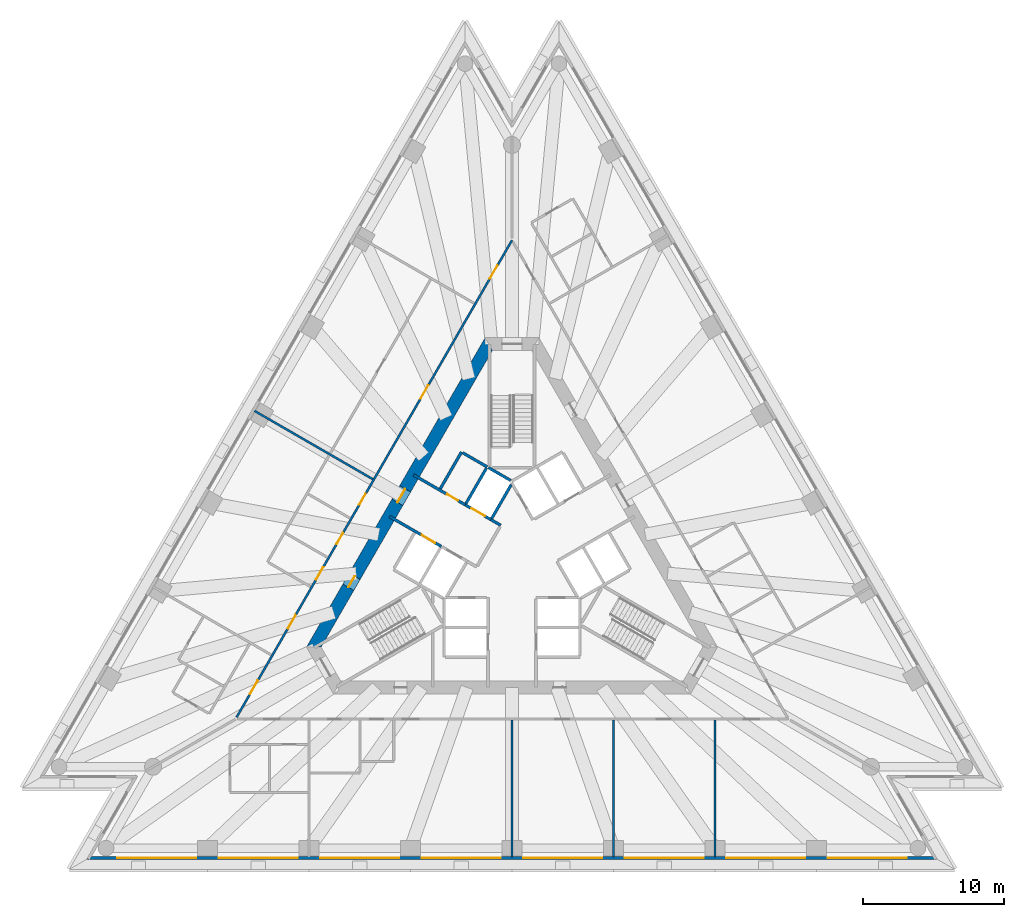
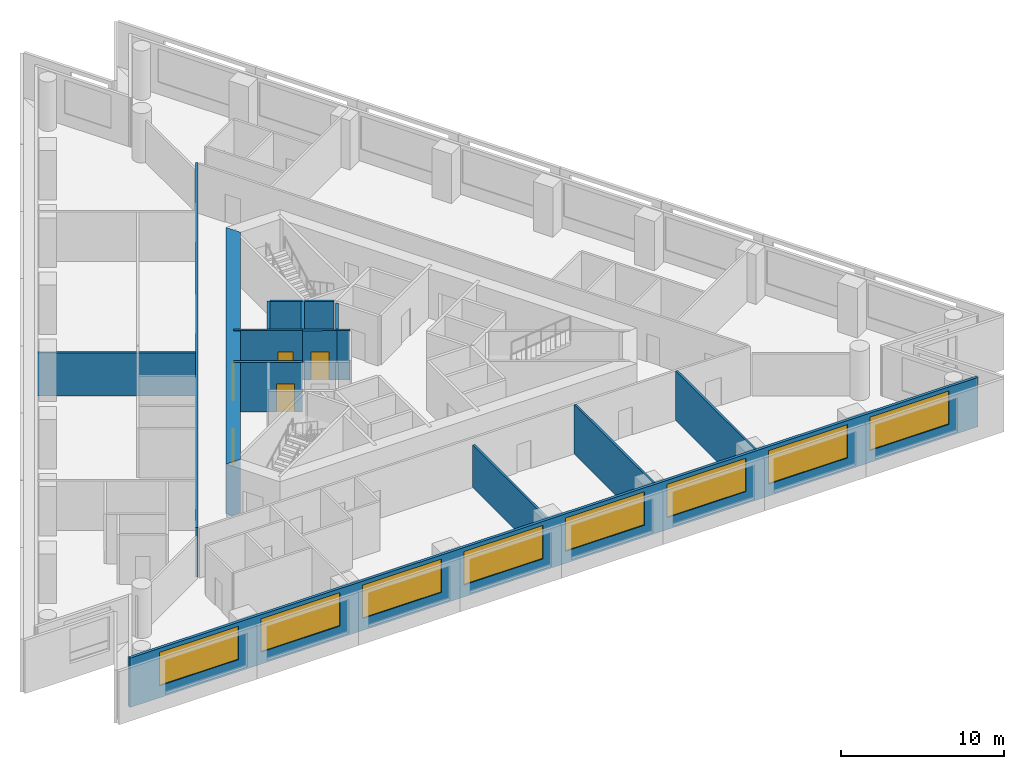
# One storey, part 4 of 11: 16 walls, 12 doors, 8 windows, 20 openings.
"""IFC4 building model written with IfcOpenShell, lengths in metres."""

import ifcopenshell
import ifcopenshell.guid

model = None  # the IFC model being written
_history = None  # IfcOwnerHistory: only IFC2X3 demands one
_inside = {}  # id of a spatial element -> (the spatial element, [elements in it])
_under = {}  # id of a project, library or spatial element -> (it, [spatial elements below it])
_declared = {}  # id of a project -> (the project, [libraries it declares])
_typed = {}  # id of a type object -> (the type object, [elements of that type])
_made_of = {}  # id of a material, layer set ... -> (it, [elements and type objects made of it])


def new_model(schema):
    """Start an empty IFC model of exactly this schema.

    Asked for "IFC4X3", IfcOpenShell would pick the latest addendum, in which some entities
    have other attributes; the version numbers below select the first issue.
    IFC2X3 requires an IfcOwnerHistory on every rooted entity: one is made here for all.
    """
    global model, _history
    if schema == "IFC4X3":
        model = ifcopenshell.file(schema_version=(4, 3, 0, 0))
    else:
        model = ifcopenshell.file(schema=schema)
    _inside.clear()
    _under.clear()
    _declared.clear()
    _typed.clear()
    _made_of.clear()
    _history = None
    if model.schema == "IFC2X3":
        org = make("IfcOrganization", Name="unknown")
        user = make(
            "IfcPersonAndOrganization",
            ThePerson=make("IfcPerson", FamilyName="unknown"),
            TheOrganization=org,
        )
        app = make(
            "IfcApplication",
            ApplicationDeveloper=org,
            Version="unknown",
            ApplicationFullName="unknown",
            ApplicationIdentifier="unknown",
        )
        _history = make(
            "IfcOwnerHistory",
            OwningUser=user,
            OwningApplication=app,
            ChangeAction="ADDED",
            CreationDate=0,
        )
    return model


def make(cls, **values):
    """One entity of the class cls with the attributes given. An attribute that is None is left unset."""
    return model.create_entity(
        cls, **{name: value for name, value in values.items() if value is not None}
    )


def rooted(cls, **values):
    """An entity with a GlobalId (a new one), such as an element, a storey or a relation."""
    return make(cls, GlobalId=ifcopenshell.guid.new(), OwnerHistory=_history, **values)


def si_unit(unit_type, name, prefix=None):
    """IfcSIUnit, for example si_unit("LENGTHUNIT", "METRE", prefix="MILLI")."""
    return make("IfcSIUnit", UnitType=unit_type, Prefix=prefix, Name=name)


def assignment(units):
    """IfcUnitAssignment: the units of a project."""
    return None if units is None else make("IfcUnitAssignment", Units=units)


def point(xyz):
    """IfcCartesianPoint."""
    return None if xyz is None else make("IfcCartesianPoint", Coordinates=xyz)


def direction(xyz):
    """IfcDirection."""
    return None if xyz is None else make("IfcDirection", DirectionRatios=xyz)


def frame(location, z_axis=None, x_axis=None):
    """IfcAxis2Placement3D, a coordinate frame: its origin and axes. An axis left out is left unset."""
    return make(
        "IfcAxis2Placement3D",
        Location=point(location),
        Axis=direction(z_axis),
        RefDirection=direction(x_axis),
    )


def frame_2d(location, x_axis=None):
    """IfcAxis2Placement2D, a coordinate frame in the plane: its origin and x axis."""
    return make(
        "IfcAxis2Placement2D", Location=point(location), RefDirection=direction(x_axis)
    )


def origin():
    """The frame at (0, 0, 0) with its axes left unset."""
    return frame((0.0, 0.0, 0.0))


def place(relative_to, where):
    """IfcLocalPlacement: puts the frame where relative to a parent placement (None: the world)."""
    return make(
        "IfcLocalPlacement", PlacementRelTo=relative_to, RelativePlacement=where
    )


def context(
    kind, dimensions, precision=None, world=None, true_north=None, identifier=None
):
    """IfcGeometricRepresentationContext, for example the 3D "Model" context."""
    return make(
        "IfcGeometricRepresentationContext",
        ContextIdentifier=identifier,
        ContextType=kind,
        CoordinateSpaceDimension=dimensions,
        Precision=precision,
        WorldCoordinateSystem=world,
        TrueNorth=true_north,
    )


def subcontext(parent, identifier, kind, view, scale=None):
    """IfcGeometricRepresentationSubContext, for example "Body" below "Model"."""
    return make(
        "IfcGeometricRepresentationSubContext",
        ContextIdentifier=identifier,
        ContextType=kind,
        ParentContext=parent,
        TargetScale=scale,
        TargetView=view,
    )


def project(units=None, contexts=None):
    """IfcProject with its units and contexts."""
    return rooted(
        "IfcProject",
        Name="project",
        RepresentationContexts=contexts,
        UnitsInContext=assignment(units),
    )


def spatial(cls, under=None, at=None, **own):
    """A site, building, storey or space (cls), placed at a placement, below another one or the project."""
    s = rooted(cls, ObjectPlacement=at, **own)
    if under is not None:
        _under.setdefault(under.id(), (under, []))[1].append(s)
    return s


def polyline(points):
    """IfcPolyline through the points."""
    return make("IfcPolyline", Points=[point(p) for p in points])


def profile(cls, at=None, kind="AREA", **sizes):
    """A parametric profile (cls). Its sizes go by their IFC names, for example OverallWidth=200.0."""
    return make(cls, ProfileType=kind, Position=at, **sizes)


def rectangle(**sizes):
    """IfcRectangleProfileDef."""
    return profile("IfcRectangleProfileDef", **sizes)


def outline(outer, holes=None, kind="AREA"):
    """IfcArbitraryClosedProfileDef: a profile drawn as a closed curve; with holes, ...WithVoids."""
    if holes is None:
        return make("IfcArbitraryClosedProfileDef", ProfileType=kind, OuterCurve=outer)
    return make(
        "IfcArbitraryProfileDefWithVoids",
        ProfileType=kind,
        OuterCurve=outer,
        InnerCurves=holes,
    )


def extrude(swept, where, along, depth):
    """IfcExtrudedAreaSolid: the profile swept, set in the frame where, extruded along a direction by depth."""
    return make(
        "IfcExtrudedAreaSolid",
        SweptArea=swept,
        Position=where,
        ExtrudedDirection=direction(along),
        Depth=depth,
    )


def shape(context_of_items, identifier, shape_type, items):
    """IfcShapeRepresentation: the items that make up one representation, for example the "Body"."""
    return make(
        "IfcShapeRepresentation",
        ContextOfItems=context_of_items,
        RepresentationIdentifier=identifier,
        RepresentationType=shape_type,
        Items=items,
    )


def material(Name=None, Category=None):
    """IfcMaterial."""
    return make("IfcMaterial", Name=Name, Category=Category)


def layer(
    of_material, thickness, ventilated=None, Name=None, Category=None, Priority=None
):
    """IfcMaterialLayer: one layer of a wall or slab, of a material (None: an air gap)."""
    return make(
        "IfcMaterialLayer",
        Material=of_material,
        LayerThickness=thickness,
        IsVentilated=ventilated,
        Name=Name,
        Category=Category,
        Priority=Priority,
    )


def layer_set(layers, Name=None):
    """IfcMaterialLayerSet."""
    return make("IfcMaterialLayerSet", MaterialLayers=layers, LayerSetName=Name)


def layer_usage(for_layer_set, set_direction, sense, offset, extent=None):
    """IfcMaterialLayerSetUsage: how a layer set lies in its element."""
    return make(
        "IfcMaterialLayerSetUsage",
        ForLayerSet=for_layer_set,
        LayerSetDirection=set_direction,
        DirectionSense=sense,
        OffsetFromReferenceLine=offset,
        ReferenceExtent=extent,
    )


def made_of(thing, what):
    """Note that an element or type object is made of a material, layer set ...; save() writes the relation."""
    if what is not None:
        _made_of.setdefault(what.id(), (what, []))[1].append(thing)
    return thing


def type_object(cls, material=None, **own):
    """A type object (cls), such as IfcWallType, which elements share."""
    return made_of(rooted(cls, **own), material)


def element(
    cls,
    number,
    at=None,
    inside=None,
    cuts=None,
    type_object=None,
    material=None,
    context=None,
    identifier="Body",
    shape_type=None,
    held_by="IfcProductDefinitionShape",
    body=None,
    shapes=None,
    **own,
):
    """One element of the class cls, such as IfcWall. Its Tag is "e" and its number.

    at: its placement. inside: the storey or other place that contains it. cuts: it is an
    opening in that element (IfcRelVoidsElement). A single representation is given by context,
    identifier, shape_type and body (its items); several are given by shapes. held_by: the class
    of the entity that holds the representations. save() writes the other relations.
    """
    e = rooted(cls, Tag="e%d" % number, ObjectPlacement=at, **own)
    if body is not None:
        shapes = [shape(context, identifier, shape_type, body)]
    if shapes is not None:
        e.Representation = make(held_by, Representations=shapes)
    if inside is not None:
        _inside.setdefault(inside.id(), (inside, []))[1].append(e)
    if cuts is not None:
        rooted(
            "IfcRelVoidsElement", RelatingBuildingElement=cuts, RelatedOpeningElement=e
        )
    if type_object is not None:
        _typed.setdefault(type_object.id(), (type_object, []))[1].append(e)
    return made_of(e, material)


def fill(opening, filler):
    """IfcRelFillsElement: the door or window that sits in an opening."""
    return rooted(
        "IfcRelFillsElement",
        RelatingOpeningElement=opening,
        RelatedBuildingElement=filler,
    )


def aggregate(whole, parts):
    """IfcRelAggregates: a whole, such as a stair, and the parts it consists of."""
    return rooted("IfcRelAggregates", RelatingObject=whole, RelatedObjects=parts)


def save(model, path):
    """Write the relations noted so far, then the file.

    IfcRelAggregates (storeys below a building ...), IfcRelContainedInSpatialStructure (elements
    in a storey), IfcRelDefinesByType, IfcRelAssociatesMaterial and IfcRelDeclares: one each for
    every whole, place, type object, material and project.
    """
    for whole, parts in _under.values():
        aggregate(whole, parts)
    for where, things in _inside.values():
        rooted(
            "IfcRelContainedInSpatialStructure",
            RelatedElements=things,
            RelatingStructure=where,
        )
    for kind, things in _typed.values():
        rooted("IfcRelDefinesByType", RelatedObjects=things, RelatingType=kind)
    for what, things in _made_of.values():
        rooted("IfcRelAssociatesMaterial", RelatedObjects=things, RelatingMaterial=what)
    for by, libraries in _declared.values():
        rooted("IfcRelDeclares", RelatingContext=by, RelatedDefinitions=libraries)
    model.write(path)


model = new_model("IFC4")

# Units and contexts
model_context = context("Model", 3, precision=1e-05, world=origin(), true_north=direction((0.0, 1.0)))
body_context = subcontext(model_context, "Body", "Model", "MODEL_VIEW")
ifc_project = project(units=[si_unit("LENGTHUNIT", "METRE"), si_unit("AREAUNIT", "SQUARE_METRE"), si_unit("VOLUMEUNIT", "CUBIC_METRE"), si_unit("PLANEANGLEUNIT", "RADIAN"), si_unit("MASSUNIT", "GRAM", prefix="KILO")], contexts=[model_context])

# Site, building, storey
site_placement = place(None, origin())
site = spatial("IfcSite", under=ifc_project, at=site_placement, CompositionType="ELEMENT")
building_placement = place(site_placement, origin())
building = spatial("IfcBuilding", under=site, at=building_placement, Name="Triada Interchange Tower", CompositionType="ELEMENT")
storey_placement = place(building_placement, frame((0.0, 0.0, 91.300048828125)))
storey = spatial("IfcBuildingStorey", under=building, at=storey_placement, Name="L20", CompositionType="ELEMENT", Elevation=91.300048828125)

# Wall, opening, door
ifc_material_1 = material(Name="Concrete C30/37", Category="concrete")
ifc_layer_1 = layer(ifc_material_1, 0.199951171875)
ifc_layer_set_1 = layer_set([ifc_layer_1], Name="CORE WALL 200 EI 180")
wall_type_1 = type_object("IfcWallType", Name="CORE WALL 200 EI 180", PredefinedType="SOLIDWALL", material=ifc_layer_set_1)
wall_1_placement = place(storey_placement, frame((-8.669921875, 3.04296875, 0.0), z_axis=(0.0, 0.0, 1.0), x_axis=(0.866029956157, -0.499992114976, 0.0)))
wall_1 = element("IfcWall", 1, at=wall_1_placement, inside=storey, type_object=wall_type_1, Name="Wall L18 64", PredefinedType="SOLIDWALL", context=body_context, shape_type="SweptSolid", body=[
    extrude(rectangle(XDim=4.23193359375, YDim=0.199951171875, at=frame_2d((2.115966796875, 0.0))), origin(), (0.0, 0.0, 1.0), 3.699951171875),
])
opening_1_placement = place(wall_1_placement, frame((2.6298828125, 0.0, 0.0)))
opening_1 = element("IfcOpeningElement", 2, at=opening_1_placement, cuts=wall_1, Name="Opening LD-SV1", PredefinedType="OPENING", context=body_context, shape_type="SweptSolid", body=[
    extrude(rectangle(XDim=1.10009765625, YDim=2.10009765625, at=frame_2d((0.550048828125, 1.050048828125))), frame((0.0, 0.10986328125, 0.0), z_axis=(0.0, -1.0, 0.0), x_axis=(1.0, 0.0, 0.0)), (0.0, 0.0, 1.0), 0.219970703125),
])
ifc_material_2 = material(Name="Steel S235 door leaf", Category="steel")
door_type_1 = type_object("IfcDoorType", Name="LIFT LANDING DOOR 1100 EI 120", OperationType="SLIDING_TO_LEFT", PredefinedType="DOOR", material=ifc_material_2)
door_1_placement = place(opening_1_placement, origin())
door_1 = element("IfcDoor", 3, at=door_1_placement, inside=storey, type_object=door_type_1, Name="SV1 landing door L20", OperationType="SLIDING_TO_LEFT", OverallHeight=2.10009765625, OverallWidth=1.10009765625, PredefinedType="DOOR", context=body_context, shape_type="SweptSolid", body=[
    extrude(rectangle(XDim=1.10009765625, YDim=2.10009765625, at=frame_2d((0.550048828125, 1.050048828125))), frame((0.0, 0.02490234375, 0.0), z_axis=(0.0, -1.0, 0.0), x_axis=(1.0, 0.0, 0.0)), (0.0, 0.0, 1.0), 0.050048828125),
])
fill(opening_1, door_1)

wall_2_placement = place(storey_placement, frame((-6.969970703125, 5.987060546875, 0.0), z_axis=(0.0, 0.0, 1.0), x_axis=(0.866029956157, -0.499992114976, 0.0)))
wall_2 = element("IfcWall", 4, at=wall_2_placement, inside=storey, type_object=wall_type_1, Name="Wall L18 66", PredefinedType="SOLIDWALL", context=body_context, shape_type="SweptSolid", body=[
    extrude(rectangle(XDim=4.23193359375, YDim=0.199951171875, at=frame_2d((2.115966796875, 0.0))), origin(), (0.0, 0.0, 1.0), 3.699951171875),
])
opening_2_placement = place(wall_2_placement, frame((2.72998046875, 0.0, 0.0)))
opening_2 = element("IfcOpeningElement", 5, at=opening_2_placement, cuts=wall_2, Name="Opening D18-10", PredefinedType="OPENING", context=body_context, shape_type="SweptSolid", body=[
    extrude(rectangle(XDim=0.89990234375, YDim=2.10009765625, at=frame_2d((0.449951171875, 1.050048828125))), frame((0.0, 0.10986328125, 0.0), z_axis=(0.0, -1.0, 0.0), x_axis=(1.0, 0.0, 0.0)), (0.0, 0.0, 1.0), 0.219970703125),
])
door_type_2 = type_object("IfcDoorType", Name="SERVICE DOOR 900 EI2 90-C5S200", OperationType="NOTDEFINED", PredefinedType="DOOR", material=ifc_material_2)
door_2_placement = place(opening_2_placement, origin())
door_2 = element("IfcDoor", 6, at=door_2_placement, inside=storey, type_object=door_type_2, Name="Door D18-10 L20", OperationType="SINGLE_SWING_LEFT", OverallHeight=2.10009765625, OverallWidth=0.89990234375, PredefinedType="DOOR", context=body_context, shape_type="SweptSolid", body=[
    extrude(rectangle(XDim=0.89990234375, YDim=2.10009765625, at=frame_2d((0.449951171875, 1.050048828125))), frame((0.0, 0.02490234375, 0.0), z_axis=(0.0, -1.0, 0.0), x_axis=(1.0, 0.0, 0.0)), (0.0, 0.0, 1.0), 0.050048828125),
])
fill(opening_2, door_2)

# Walls
wall_3_placement = place(storey_placement, frame((-1.488037109375, 2.822021484375, 0.0), z_axis=(0.0, 0.0, 1.0), x_axis=(0.866236612152, -0.499633997809, 0.0)))
element("IfcWall", 7, at=wall_3_placement, inside=storey, type_object=wall_type_1, Name="Wall L18 67", PredefinedType="SOLIDWALL", context=body_context, shape_type="SweptSolid", body=[
    extrude(rectangle(XDim=0.79638671875, YDim=0.199951171875, at=frame_2d((0.398193359375, 0.0))), origin(), (0.0, 0.0, 1.0), 3.699951171875),
])
wall_4_placement = place(storey_placement, frame((-5.075927734375, 5.009033203125, 0.0), z_axis=(0.0, 0.0, 1.0), x_axis=(0.50002537861, 0.866010750942, 0.0)))
element("IfcWall", 8, at=wall_4_placement, inside=storey, type_object=wall_type_1, Name="Wall L18 68", PredefinedType="SOLIDWALL", context=body_context, shape_type="SweptSolid", body=[
    extrude(rectangle(XDim=2.999755859375, YDim=0.199951171875, at=frame_2d((1.5, 0.0))), origin(), (0.0, 0.0, 1.0), 3.699951171875),
])
wall_5_placement = place(storey_placement, frame((-3.489013671875, 7.556884765625, 0.0), z_axis=(0.0, 0.0, 1.0), x_axis=(0.866010750942, -0.50002537861, 0.0)))
element("IfcWall", 9, at=wall_5_placement, inside=storey, type_object=wall_type_1, Name="Wall L18 69", PredefinedType="SOLIDWALL", context=body_context, shape_type="SweptSolid", body=[
    extrude(rectangle(XDim=2.0, YDim=0.199951171875, at=frame_2d((1.0, 0.0))), origin(), (0.0, 0.0, 1.0), 3.699951171875),
])

# Wall, opening, door
wall_6_placement = place(storey_placement, frame((-3.30908203125, 3.873046875, 0.0), z_axis=(0.0, 0.0, 1.0), x_axis=(0.866098583652, -0.499873227325, 0.0)))
wall_6 = element("IfcWall", 10, at=wall_6_placement, inside=storey, type_object=wall_type_1, Name="Shaft wall FF2 L18 75", PredefinedType="SOLIDWALL", context=body_context, shape_type="SweptSolid", body=[
    extrude(rectangle(XDim=2.1025390625, YDim=0.199951171875, at=frame_2d((1.05126953125, 0.0))), origin(), (0.0, 0.0, 1.0), 3.699951171875),
])
opening_3_placement = place(wall_6_placement, frame((0.501953125, 0.0, 0.0)))
opening_3 = element("IfcOpeningElement", 11, at=opening_3_placement, cuts=wall_6, Name="Opening LD-FF2", PredefinedType="OPENING", context=body_context, shape_type="SweptSolid", body=[
    extrude(rectangle(XDim=1.10009765625, YDim=2.10009765625, at=frame_2d((0.550048828125, 1.050048828125))), frame((0.0, 0.10986328125, 0.0), z_axis=(0.0, -1.0, 0.0), x_axis=(1.0, 0.0, 0.0)), (0.0, 0.0, 1.0), 0.219970703125),
])
door_3_placement = place(opening_3_placement, origin())
door_3 = element("IfcDoor", 12, at=door_3_placement, inside=storey, type_object=door_type_1, Name="FF2 landing door L20", OperationType="SLIDING_TO_LEFT", OverallHeight=2.10009765625, OverallWidth=1.10009765625, PredefinedType="DOOR", context=body_context, shape_type="SweptSolid", body=[
    extrude(rectangle(XDim=1.10009765625, YDim=2.10009765625, at=frame_2d((0.550048828125, 1.050048828125))), frame((0.0, 0.02490234375, 0.0), z_axis=(0.0, -1.0, 0.0), x_axis=(1.0, 0.0, 0.0)), (0.0, 0.0, 1.0), 0.050048828125),
])
fill(opening_3, door_3)

# Walls
wall_7_placement = place(storey_placement, frame((-3.257080078125, 3.958984375, 0.0), z_axis=(0.0, 0.0, 1.0), x_axis=(0.50012328804, 0.865954211699, 0.0)))
element("IfcWall", 13, at=wall_7_placement, inside=storey, type_object=wall_type_1, Name="Shaft wall FF2 L18 76", PredefinedType="SOLIDWALL", context=body_context, shape_type="SweptSolid", body=[
    extrude(rectangle(XDim=2.899658203125, YDim=0.199951171875, at=frame_2d((1.44970703125, 0.0))), origin(), (0.0, 0.0, 1.0), 3.699951171875),
])
wall_8_placement = place(storey_placement, frame((-1.669921875, 6.507080078125, 0.0), z_axis=(0.0, 0.0, 1.0), x_axis=(0.865941441609, -0.500145398563, 0.0)))
element("IfcWall", 14, at=wall_8_placement, inside=storey, type_object=wall_type_1, Name="Shaft wall FF2 L18 77", PredefinedType="SOLIDWALL", context=body_context, shape_type="SweptSolid", body=[
    extrude(rectangle(XDim=1.8154296875, YDim=0.199951171875, at=frame_2d((0.90771484375, 0.0))), origin(), (0.0, 0.0, 1.0), 3.699951171875),
])
wall_9_placement = place(storey_placement, frame((-1.43798828125, 2.908935546875, 0.0), z_axis=(0.0, 0.0, 1.0), x_axis=(0.499829630636, 0.866123744241, 0.0)))
element("IfcWall", 15, at=wall_9_placement, inside=storey, type_object=wall_type_1, Name="Shaft wall FF2 L18 78", PredefinedType="SOLIDWALL", context=body_context, shape_type="SweptSolid", body=[
    extrude(rectangle(XDim=2.7607421875, YDim=0.199951171875, at=frame_2d((1.38037109375, 0.0))), origin(), (0.0, 0.0, 1.0), 3.699951171875),
])

# Wall, openings, doors
ifc_material_3 = material(Name="Concrete C70/85", Category="concrete")
ifc_layer_2 = layer(ifc_material_3, 0.89990234375)
ifc_layer_set_2 = layer_set([ifc_layer_2], Name="Core wall A 900")
wall_type_2 = type_object("IfcWallType", Name="Core wall A 900", PredefinedType="SHEAR", material=ifc_layer_set_2)
wall_10_placement = place(storey_placement, frame((-1.64501953125, 15.25, -0.300048828125), z_axis=(0.0, 0.0, 1.0), x_axis=(-0.500026485275, -0.866010111964, 0.0)))
wall_10 = element("IfcWall", 16, at=wall_10_placement, inside=storey, type_object=wall_type_2, Name="Core wall WA02 L20", PredefinedType="SHEAR", context=body_context, shape_type="SweptSolid", body=[
    extrude(outline(polyline([(-0.260009765625, -0.449951171875), (1.685302734375, -0.449951171875), (3.63037109375, -0.44970703125), (5.57568359375, -0.44970703125), (7.52099609375, -0.44970703125), (9.466064453125, -0.449462890625), (11.411376953125, -0.449462890625), (13.356689453125, -0.449462890625), (15.302001953125, -0.449462890625), (17.2470703125, -0.44921875), (19.1923828125, -0.44921875), (21.1376953125, -0.44921875), (23.082763671875, -0.448974609375), (25.028076171875, -0.448974609375), (24.509033203125, 0.449951171875), (22.643798828125, 0.449951171875), (20.7783203125, 0.44970703125), (18.9130859375, 0.44970703125), (17.0478515625, 0.44970703125), (15.182373046875, 0.449462890625), (13.317138671875, 0.449462890625), (11.451904296875, 0.449462890625), (9.586669921875, 0.449462890625), (7.72119140625, 0.44921875), (5.85595703125, 0.44921875), (3.99072265625, 0.44921875), (2.125244140625, 0.448974609375), (0.260009765625, 0.448974609375), (-0.260009765625, -0.449951171875)])), origin(), (0.0, 0.0, 1.0), 4.0),
])
opening_4_placement = place(wall_10_placement, frame((11.833984375, 0.0, 0.300048828125)))
opening_4 = element("IfcOpeningElement", 17, at=opening_4_placement, cuts=wall_10, Name="Opening D18-42", PredefinedType="OPENING", context=body_context, shape_type="SweptSolid", body=[
    extrude(rectangle(XDim=1.10009765625, YDim=2.10009765625, at=frame_2d((0.550048828125, 1.050048828125))), frame((0.0, 0.4599609375, 0.0), z_axis=(0.0, -1.0, 0.0), x_axis=(1.0, 0.0, 0.0)), (0.0, 0.0, 1.0), 0.919921875),
])
opening_5_placement = place(wall_10_placement, frame((18.97607421875, 0.0, 0.300048828125)))
opening_5 = element("IfcOpeningElement", 18, at=opening_5_placement, cuts=wall_10, Name="Opening D18-43", PredefinedType="OPENING", context=body_context, shape_type="SweptSolid", body=[
    extrude(rectangle(XDim=0.89990234375, YDim=2.10009765625, at=frame_2d((0.449951171875, 1.050048828125))), frame((0.0, 0.4599609375, 0.0), z_axis=(0.0, -1.0, 0.0), x_axis=(1.0, 0.0, 0.0)), (0.0, 0.0, 1.0), 0.919921875),
])
door_type_3 = type_object("IfcDoorType", Name="FIRE LOBBY DOOR 1100 EI2 90-C5S200", OperationType="NOTDEFINED", PredefinedType="DOOR", material=ifc_material_2)
door_4_placement = place(opening_4_placement, origin())
door_4 = element("IfcDoor", 19, at=door_4_placement, inside=storey, type_object=door_type_3, Name="Door D18-42 L20", OperationType="SINGLE_SWING_LEFT", OverallHeight=2.10009765625, OverallWidth=1.10009765625, PredefinedType="DOOR", context=body_context, shape_type="SweptSolid", body=[
    extrude(rectangle(XDim=1.10009765625, YDim=2.10009765625, at=frame_2d((0.550048828125, 1.050048828125))), frame((0.0, 0.02490234375, 0.0), z_axis=(0.0, -1.0, 0.0), x_axis=(1.0, 0.0, 0.0)), (0.0, 0.0, 1.0), 0.050048828125),
])
fill(opening_4, door_4)
door_type_4 = type_object("IfcDoorType", Name="SERVICE DOOR 900 EI2 45-C5S200", OperationType="NOTDEFINED", PredefinedType="DOOR", material=ifc_material_2)
door_5_placement = place(opening_5_placement, origin())
door_5 = element("IfcDoor", 20, at=door_5_placement, inside=storey, type_object=door_type_4, Name="Door D18-43 L20", OperationType="SINGLE_SWING_LEFT", OverallHeight=2.10009765625, OverallWidth=0.89990234375, PredefinedType="DOOR", context=body_context, shape_type="SweptSolid", body=[
    extrude(rectangle(XDim=0.89990234375, YDim=2.10009765625, at=frame_2d((0.449951171875, 1.050048828125))), frame((0.0, 0.02490234375, 0.0), z_axis=(0.0, -1.0, 0.0), x_axis=(1.0, 0.0, 0.0)), (0.0, 0.0, 1.0), 0.050048828125),
])
fill(opening_5, door_5)

# Wall, openings, windows
ifc_material_4 = material(Name="Cement board")
ifc_layer_3 = layer(ifc_material_4, 0.02001953125, Name="Cement board cladding")
ifc_material_5 = material(Name="Sheathing board")
ifc_layer_4 = layer(ifc_material_5, 0.014892578125, Name="Sheathing board")
ifc_material_6 = material(Name="Mineral wool")
ifc_layer_5 = layer(ifc_material_6, 0.14990234375, Name="Mineral wool between steel studs")
ifc_material_7 = material(Name="Gypsum board")
ifc_layer_6 = layer(ifc_material_7, 0.014892578125, Name="Plasterboard lining")
ifc_layer_set_3 = layer_set([ifc_layer_3, ifc_layer_4, ifc_layer_5, ifc_layer_6], Name="External wall 200")
ifc_layer_usage = layer_usage(ifc_layer_set_3, "AXIS2", "POSITIVE", -0.10009765625)
wall_type_3 = type_object("IfcWallType", Name="External wall 200", PredefinedType="ELEMENTEDWALL", material=ifc_layer_set_3)
wall_11_placement = place(storey_placement, frame((-30.037109375, -21.12890625, 0.0), z_axis=(0.0, 0.0, 1.0), x_axis=(1.0, 0.0, 0.0)))
wall_11 = element("IfcWall", 21, at=wall_11_placement, inside=storey, type_object=wall_type_3, material=ifc_layer_usage, Name="External wall L20 S", PredefinedType="ELEMENTEDWALL", context=body_context, shape_type="SweptSolid", body=[
    extrude(rectangle(XDim=60.05419921875, YDim=0.199951171875, at=frame_2d((30.027099609375, 0.0))), origin(), (0.0, 0.0, 1.0), 3.699951171875),
])
opening_6_placement = place(wall_11_placement, frame((2.094970703125, 0.0, 0.89990234375)))
opening_6 = element("IfcOpeningElement", 22, at=opening_6_placement, cuts=wall_11, Name="Opening WA11", PredefinedType="OPENING", context=body_context, shape_type="SweptSolid", body=[
    extrude(rectangle(XDim=5.60009765625, YDim=2.5, at=frame_2d((2.800048828125, 1.25))), frame((0.0, 0.10986328125, 0.0), z_axis=(0.0, -1.0, 0.0), x_axis=(1.0, 0.0, 0.0)), (0.0, 0.0, 1.0), 0.219970703125),
])
opening_7_placement = place(wall_11_placement, frame((9.278076171875, 0.0, 0.89990234375)))
opening_7 = element("IfcOpeningElement", 23, at=opening_7_placement, cuts=wall_11, Name="Opening WA12", PredefinedType="OPENING", context=body_context, shape_type="SweptSolid", body=[
    extrude(rectangle(XDim=5.60009765625, YDim=2.5, at=frame_2d((2.800048828125, 1.25))), frame((0.0, 0.10986328125, 0.0), z_axis=(0.0, -1.0, 0.0), x_axis=(1.0, 0.0, 0.0)), (0.0, 0.0, 1.0), 0.219970703125),
])
opening_8_placement = place(wall_11_placement, frame((16.4619140625, 0.0, 0.89990234375)))
opening_8 = element("IfcOpeningElement", 24, at=opening_8_placement, cuts=wall_11, Name="Opening WA13", PredefinedType="OPENING", context=body_context, shape_type="SweptSolid", body=[
    extrude(rectangle(XDim=5.60009765625, YDim=2.5, at=frame_2d((2.800048828125, 1.25))), frame((0.0, 0.10986328125, 0.0), z_axis=(0.0, -1.0, 0.0), x_axis=(1.0, 0.0, 0.0)), (0.0, 0.0, 1.0), 0.219970703125),
])
opening_9_placement = place(wall_11_placement, frame((23.64501953125, 0.0, 0.89990234375)))
opening_9 = element("IfcOpeningElement", 25, at=opening_9_placement, cuts=wall_11, Name="Opening WA14", PredefinedType="OPENING", context=body_context, shape_type="SweptSolid", body=[
    extrude(rectangle(XDim=5.60009765625, YDim=2.5, at=frame_2d((2.800048828125, 1.25))), frame((0.0, 0.10986328125, 0.0), z_axis=(0.0, -1.0, 0.0), x_axis=(1.0, 0.0, 0.0)), (0.0, 0.0, 1.0), 0.219970703125),
])
opening_10_placement = place(wall_11_placement, frame((30.8291015625, 0.0, 0.89990234375)))
opening_10 = element("IfcOpeningElement", 26, at=opening_10_placement, cuts=wall_11, Name="Opening WA15", PredefinedType="OPENING", context=body_context, shape_type="SweptSolid", body=[
    extrude(rectangle(XDim=5.60009765625, YDim=2.5, at=frame_2d((2.800048828125, 1.25))), frame((0.0, 0.10986328125, 0.0), z_axis=(0.0, -1.0, 0.0), x_axis=(1.0, 0.0, 0.0)), (0.0, 0.0, 1.0), 0.219970703125),
])
opening_11_placement = place(wall_11_placement, frame((38.011962890625, 0.0, 0.89990234375)))
opening_11 = element("IfcOpeningElement", 27, at=opening_11_placement, cuts=wall_11, Name="Opening WA16", PredefinedType="OPENING", context=body_context, shape_type="SweptSolid", body=[
    extrude(rectangle(XDim=5.60009765625, YDim=2.5, at=frame_2d((2.800048828125, 1.25))), frame((0.0, 0.10986328125, 0.0), z_axis=(0.0, -1.0, 0.0), x_axis=(1.0, 0.0, 0.0)), (0.0, 0.0, 1.0), 0.219970703125),
])
opening_12_placement = place(wall_11_placement, frame((45.196044921875, 0.0, 0.89990234375)))
opening_12 = element("IfcOpeningElement", 28, at=opening_12_placement, cuts=wall_11, Name="Opening WA17", PredefinedType="OPENING", context=body_context, shape_type="SweptSolid", body=[
    extrude(rectangle(XDim=5.60009765625, YDim=2.5, at=frame_2d((2.800048828125, 1.25))), frame((0.0, 0.10986328125, 0.0), z_axis=(0.0, -1.0, 0.0), x_axis=(1.0, 0.0, 0.0)), (0.0, 0.0, 1.0), 0.219970703125),
])
opening_13_placement = place(wall_11_placement, frame((52.37890625, 0.0, 0.89990234375)))
opening_13 = element("IfcOpeningElement", 29, at=opening_13_placement, cuts=wall_11, Name="Opening WA18", PredefinedType="OPENING", context=body_context, shape_type="SweptSolid", body=[
    extrude(rectangle(XDim=5.60009765625, YDim=2.5, at=frame_2d((2.800048828125, 1.25))), frame((0.0, 0.10986328125, 0.0), z_axis=(0.0, -1.0, 0.0), x_axis=(1.0, 0.0, 0.0)), (0.0, 0.0, 1.0), 0.219970703125),
])
ifc_material_8 = material(Name="Double glazed aluminium window", Category="aluminium")
window_type = type_object("IfcWindowType", Name="Ribbon window A face", PartitioningType="SINGLE_PANEL", PredefinedType="WINDOW", material=ifc_material_8)
window_1_placement = place(opening_6_placement, origin())
window_1 = element("IfcWindow", 30, at=window_1_placement, inside=storey, type_object=window_type, Name="Window L20 S 1", OverallHeight=2.5, OverallWidth=5.60009765625, PartitioningType="SINGLE_PANEL", PredefinedType="WINDOW", context=body_context, shape_type="SweptSolid", body=[
    extrude(rectangle(XDim=5.60009765625, YDim=2.5, at=frame_2d((2.800048828125, 1.25))), frame((0.0, 0.030029296875, 0.0), z_axis=(0.0, -1.0, 0.0), x_axis=(1.0, 0.0, 0.0)), (0.0, 0.0, 1.0), 0.06005859375),
])
fill(opening_6, window_1)
window_2_placement = place(opening_7_placement, origin())
window_2 = element("IfcWindow", 31, at=window_2_placement, inside=storey, type_object=window_type, Name="Window L20 S 2", OverallHeight=2.5, OverallWidth=5.60009765625, PartitioningType="SINGLE_PANEL", PredefinedType="WINDOW", context=body_context, shape_type="SweptSolid", body=[
    extrude(rectangle(XDim=5.60009765625, YDim=2.5, at=frame_2d((2.800048828125, 1.25))), frame((0.0, 0.030029296875, 0.0), z_axis=(0.0, -1.0, 0.0), x_axis=(1.0, 0.0, 0.0)), (0.0, 0.0, 1.0), 0.06005859375),
])
fill(opening_7, window_2)
window_3_placement = place(opening_8_placement, origin())
window_3 = element("IfcWindow", 32, at=window_3_placement, inside=storey, type_object=window_type, Name="Window L20 S 3", OverallHeight=2.5, OverallWidth=5.60009765625, PartitioningType="SINGLE_PANEL", PredefinedType="WINDOW", context=body_context, shape_type="SweptSolid", body=[
    extrude(rectangle(XDim=5.60009765625, YDim=2.5, at=frame_2d((2.800048828125, 1.25))), frame((0.0, 0.030029296875, 0.0), z_axis=(0.0, -1.0, 0.0), x_axis=(1.0, 0.0, 0.0)), (0.0, 0.0, 1.0), 0.06005859375),
])
fill(opening_8, window_3)
window_4_placement = place(opening_9_placement, origin())
window_4 = element("IfcWindow", 33, at=window_4_placement, inside=storey, type_object=window_type, Name="Window L20 S 4", OverallHeight=2.5, OverallWidth=5.60009765625, PartitioningType="SINGLE_PANEL", PredefinedType="WINDOW", context=body_context, shape_type="SweptSolid", body=[
    extrude(rectangle(XDim=5.60009765625, YDim=2.5, at=frame_2d((2.800048828125, 1.25))), frame((0.0, 0.030029296875, 0.0), z_axis=(0.0, -1.0, 0.0), x_axis=(1.0, 0.0, 0.0)), (0.0, 0.0, 1.0), 0.06005859375),
])
fill(opening_9, window_4)
window_5_placement = place(opening_10_placement, origin())
window_5 = element("IfcWindow", 34, at=window_5_placement, inside=storey, type_object=window_type, Name="Window L20 S 5", OverallHeight=2.5, OverallWidth=5.60009765625, PartitioningType="SINGLE_PANEL", PredefinedType="WINDOW", context=body_context, shape_type="SweptSolid", body=[
    extrude(rectangle(XDim=5.60009765625, YDim=2.5, at=frame_2d((2.800048828125, 1.25))), frame((0.0, 0.030029296875, 0.0), z_axis=(0.0, -1.0, 0.0), x_axis=(1.0, 0.0, 0.0)), (0.0, 0.0, 1.0), 0.06005859375),
])
fill(opening_10, window_5)
window_6_placement = place(opening_11_placement, origin())
window_6 = element("IfcWindow", 35, at=window_6_placement, inside=storey, type_object=window_type, Name="Window L20 S 6", OverallHeight=2.5, OverallWidth=5.60009765625, PartitioningType="SINGLE_PANEL", PredefinedType="WINDOW", context=body_context, shape_type="SweptSolid", body=[
    extrude(rectangle(XDim=5.60009765625, YDim=2.5, at=frame_2d((2.800048828125, 1.25))), frame((0.0, 0.030029296875, 0.0), z_axis=(0.0, -1.0, 0.0), x_axis=(1.0, 0.0, 0.0)), (0.0, 0.0, 1.0), 0.06005859375),
])
fill(opening_11, window_6)
window_7_placement = place(opening_12_placement, origin())
window_7 = element("IfcWindow", 36, at=window_7_placement, inside=storey, type_object=window_type, Name="Window L20 S 7", OverallHeight=2.5, OverallWidth=5.60009765625, PartitioningType="SINGLE_PANEL", PredefinedType="WINDOW", context=body_context, shape_type="SweptSolid", body=[
    extrude(rectangle(XDim=5.60009765625, YDim=2.5, at=frame_2d((2.800048828125, 1.25))), frame((0.0, 0.030029296875, 0.0), z_axis=(0.0, -1.0, 0.0), x_axis=(1.0, 0.0, 0.0)), (0.0, 0.0, 1.0), 0.06005859375),
])
fill(opening_12, window_7)
window_8_placement = place(opening_13_placement, origin())
window_8 = element("IfcWindow", 37, at=window_8_placement, inside=storey, type_object=window_type, Name="Window L20 S 8", OverallHeight=2.5, OverallWidth=5.60009765625, PartitioningType="SINGLE_PANEL", PredefinedType="WINDOW", context=body_context, shape_type="SweptSolid", body=[
    extrude(rectangle(XDim=5.60009765625, YDim=2.5, at=frame_2d((2.800048828125, 1.25))), frame((0.0, 0.030029296875, 0.0), z_axis=(0.0, -1.0, 0.0), x_axis=(1.0, 0.0, 0.0)), (0.0, 0.0, 1.0), 0.06005859375),
])
fill(opening_13, window_8)

# Wall, openings, doors
ifc_material_9 = material(Name="Gypsum board partition")
ifc_layer_7 = layer(ifc_material_9, 0.14990234375)
ifc_layer_set_4 = layer_set([ifc_layer_7], Name="PARTITION 150 EI 180")
wall_type_4 = type_object("IfcWallType", Name="PARTITION 150 EI 180", PredefinedType="PARTITIONING", material=ifc_layer_set_4)
wall_12_placement = place(storey_placement, frame((-19.4970703125, -11.169921875, 0.0), z_axis=(0.0, 0.0, 1.0), x_axis=(0.499998854553, 0.866026065108, 0.0)))
wall_12 = element("IfcWall", 38, at=wall_12_placement, inside=storey, type_object=wall_type_4, Name="Wall L18 3", PredefinedType="PARTITIONING", context=body_context, shape_type="SweptSolid", body=[
    extrude(rectangle(XDim=38.994140625, YDim=0.14990234375, at=frame_2d((19.4970703125, 0.0))), origin(), (0.0, 0.0, 1.0), 3.699951171875),
])
opening_14_placement = place(wall_12_placement, frame((35.843994140625, 0.0, 0.0)))
opening_14 = element("IfcOpeningElement", 39, at=opening_14_placement, cuts=wall_12, Name="Opening D18-28", PredefinedType="OPENING", context=body_context, shape_type="SweptSolid", body=[
    extrude(rectangle(XDim=1.10009765625, YDim=2.10009765625, at=frame_2d((0.550048828125, 1.050048828125))), frame((0.0, 0.0849609375, 0.0), z_axis=(0.0, -1.0, 0.0), x_axis=(1.0, 0.0, 0.0)), (0.0, 0.0, 1.0), 0.169921875),
])
opening_15_placement = place(wall_12_placement, frame((26.0400390625, 0.0, 0.0)))
opening_15 = element("IfcOpeningElement", 40, at=opening_15_placement, cuts=wall_12, Name="Opening D18-29", PredefinedType="OPENING", context=body_context, shape_type="SweptSolid", body=[
    extrude(rectangle(XDim=1.10009765625, YDim=2.10009765625, at=frame_2d((0.550048828125, 1.050048828125))), frame((0.0, 0.0849609375, 0.0), z_axis=(0.0, -1.0, 0.0), x_axis=(1.0, 0.0, 0.0)), (0.0, 0.0, 1.0), 0.169921875),
])
opening_16_placement = place(wall_12_placement, frame((7.27197265625, 0.0, 0.0)))
opening_16 = element("IfcOpeningElement", 41, at=opening_16_placement, cuts=wall_12, Name="Opening D18-31", PredefinedType="OPENING", context=body_context, shape_type="SweptSolid", body=[
    extrude(rectangle(XDim=1.10009765625, YDim=2.10009765625, at=frame_2d((0.550048828125, 1.050048828125))), frame((0.0, 0.0849609375, 0.0), z_axis=(0.0, -1.0, 0.0), x_axis=(1.0, 0.0, 0.0)), (0.0, 0.0, 1.0), 0.169921875),
])
opening_17_placement = place(wall_12_placement, frame((17.3720703125, 0.0, 0.0)))
opening_17 = element("IfcOpeningElement", 42, at=opening_17_placement, cuts=wall_12, Name="Opening D18-32", PredefinedType="OPENING", context=body_context, shape_type="SweptSolid", body=[
    extrude(rectangle(XDim=0.89990234375, YDim=2.10009765625, at=frame_2d((0.449951171875, 1.050048828125))), frame((0.0, 0.0849609375, 0.0), z_axis=(0.0, -1.0, 0.0), x_axis=(1.0, 0.0, 0.0)), (0.0, 0.0, 1.0), 0.169921875),
])
opening_18_placement = place(wall_12_placement, frame((14.172119140625, 0.0, 0.0)))
opening_18 = element("IfcOpeningElement", 43, at=opening_18_placement, cuts=wall_12, Name="Opening D18-33", PredefinedType="OPENING", context=body_context, shape_type="SweptSolid", body=[
    extrude(rectangle(XDim=0.89990234375, YDim=2.10009765625, at=frame_2d((0.449951171875, 1.050048828125))), frame((0.0, 0.0849609375, 0.0), z_axis=(0.0, -1.0, 0.0), x_axis=(1.0, 0.0, 0.0)), (0.0, 0.0, 1.0), 0.169921875),
])
opening_19_placement = place(wall_12_placement, frame((11.27197265625, 0.0, 0.0)))
opening_19 = element("IfcOpeningElement", 44, at=opening_19_placement, cuts=wall_12, Name="Opening D18-34", PredefinedType="OPENING", context=body_context, shape_type="SweptSolid", body=[
    extrude(rectangle(XDim=1.0, YDim=2.10009765625, at=frame_2d((0.5, 1.050048828125))), frame((0.0, 0.0849609375, 0.0), z_axis=(0.0, -1.0, 0.0), x_axis=(1.0, 0.0, 0.0)), (0.0, 0.0, 1.0), 0.169921875),
])
opening_20_placement = place(wall_12_placement, frame((1.904052734375, 0.0, 0.0)))
opening_20 = element("IfcOpeningElement", 45, at=opening_20_placement, cuts=wall_12, Name="Opening D18-35", PredefinedType="OPENING", context=body_context, shape_type="SweptSolid", body=[
    extrude(rectangle(XDim=1.10009765625, YDim=2.10009765625, at=frame_2d((0.550048828125, 1.050048828125))), frame((0.0, 0.0849609375, 0.0), z_axis=(0.0, -1.0, 0.0), x_axis=(1.0, 0.0, 0.0)), (0.0, 0.0, 1.0), 0.169921875),
])
door_type_5 = type_object("IfcDoorType", Name="ROOM DOOR 1000 EI2 90-C5S200", OperationType="NOTDEFINED", PredefinedType="DOOR", material=ifc_material_2)
door_6_placement = place(opening_19_placement, origin())
door_6 = element("IfcDoor", 46, at=door_6_placement, inside=storey, type_object=door_type_5, Name="Door D18-34 L20", OperationType="SINGLE_SWING_RIGHT", OverallHeight=2.10009765625, OverallWidth=1.0, PredefinedType="DOOR", context=body_context, shape_type="SweptSolid", body=[
    extrude(rectangle(XDim=1.0, YDim=2.10009765625, at=frame_2d((0.5, 1.050048828125))), frame((0.0, 0.02490234375, 0.0), z_axis=(0.0, -1.0, 0.0), x_axis=(1.0, 0.0, 0.0)), (0.0, 0.0, 1.0), 0.050048828125),
])
fill(opening_19, door_6)
door_type_6 = type_object("IfcDoorType", Name="ROOM DOOR 900 EI2 90-C5S200", OperationType="NOTDEFINED", PredefinedType="DOOR", material=ifc_material_2)
door_7_placement = place(opening_17_placement, origin())
door_7 = element("IfcDoor", 47, at=door_7_placement, inside=storey, type_object=door_type_6, Name="Door D18-32 L20", OperationType="SINGLE_SWING_LEFT", OverallHeight=2.10009765625, OverallWidth=0.89990234375, PredefinedType="DOOR", context=body_context, shape_type="SweptSolid", body=[
    extrude(rectangle(XDim=0.89990234375, YDim=2.10009765625, at=frame_2d((0.449951171875, 1.050048828125))), frame((0.0, 0.02490234375, 0.0), z_axis=(0.0, -1.0, 0.0), x_axis=(1.0, 0.0, 0.0)), (0.0, 0.0, 1.0), 0.050048828125),
])
fill(opening_17, door_7)
door_8_placement = place(opening_18_placement, origin())
door_8 = element("IfcDoor", 48, at=door_8_placement, inside=storey, type_object=door_type_6, Name="Door D18-33 L20", OperationType="SINGLE_SWING_RIGHT", OverallHeight=2.10009765625, OverallWidth=0.89990234375, PredefinedType="DOOR", context=body_context, shape_type="SweptSolid", body=[
    extrude(rectangle(XDim=0.89990234375, YDim=2.10009765625, at=frame_2d((0.449951171875, 1.050048828125))), frame((0.0, 0.02490234375, 0.0), z_axis=(0.0, -1.0, 0.0), x_axis=(1.0, 0.0, 0.0)), (0.0, 0.0, 1.0), 0.050048828125),
])
fill(opening_18, door_8)
door_type_7 = type_object("IfcDoorType", Name="TENANCY ENTRANCE DOOR 1100 EI2 90-C5S200", OperationType="NOTDEFINED", PredefinedType="DOOR", material=ifc_material_2)
door_9_placement = place(opening_14_placement, origin())
door_9 = element("IfcDoor", 49, at=door_9_placement, inside=storey, type_object=door_type_7, Name="Door D18-28 L20", OperationType="SINGLE_SWING_RIGHT", OverallHeight=2.10009765625, OverallWidth=1.10009765625, PredefinedType="DOOR", context=body_context, shape_type="SweptSolid", body=[
    extrude(rectangle(XDim=1.10009765625, YDim=2.10009765625, at=frame_2d((0.550048828125, 1.050048828125))), frame((0.0, 0.02490234375, 0.0), z_axis=(0.0, -1.0, 0.0), x_axis=(1.0, 0.0, 0.0)), (0.0, 0.0, 1.0), 0.050048828125),
])
fill(opening_14, door_9)
door_10_placement = place(opening_15_placement, origin())
door_10 = element("IfcDoor", 50, at=door_10_placement, inside=storey, type_object=door_type_7, Name="Door D18-29 L20", OperationType="SINGLE_SWING_RIGHT", OverallHeight=2.10009765625, OverallWidth=1.10009765625, PredefinedType="DOOR", context=body_context, shape_type="SweptSolid", body=[
    extrude(rectangle(XDim=1.10009765625, YDim=2.10009765625, at=frame_2d((0.550048828125, 1.050048828125))), frame((0.0, 0.02490234375, 0.0), z_axis=(0.0, -1.0, 0.0), x_axis=(1.0, 0.0, 0.0)), (0.0, 0.0, 1.0), 0.050048828125),
])
fill(opening_15, door_10)
door_11_placement = place(opening_16_placement, origin())
door_11 = element("IfcDoor", 51, at=door_11_placement, inside=storey, type_object=door_type_7, Name="Door D18-31 L20", OperationType="SINGLE_SWING_RIGHT", OverallHeight=2.10009765625, OverallWidth=1.10009765625, PredefinedType="DOOR", context=body_context, shape_type="SweptSolid", body=[
    extrude(rectangle(XDim=1.10009765625, YDim=2.10009765625, at=frame_2d((0.550048828125, 1.050048828125))), frame((0.0, 0.02490234375, 0.0), z_axis=(0.0, -1.0, 0.0), x_axis=(1.0, 0.0, 0.0)), (0.0, 0.0, 1.0), 0.050048828125),
])
fill(opening_16, door_11)
door_12_placement = place(opening_20_placement, origin())
door_12 = element("IfcDoor", 52, at=door_12_placement, inside=storey, type_object=door_type_7, Name="Door D18-35 L20", OperationType="SINGLE_SWING_LEFT", OverallHeight=2.10009765625, OverallWidth=1.10009765625, PredefinedType="DOOR", context=body_context, shape_type="SweptSolid", body=[
    extrude(rectangle(XDim=1.10009765625, YDim=2.10009765625, at=frame_2d((0.550048828125, 1.050048828125))), frame((0.0, 0.02490234375, 0.0), z_axis=(0.0, -1.0, 0.0), x_axis=(1.0, 0.0, 0.0)), (0.0, 0.0, 1.0), 0.050048828125),
])
fill(opening_20, door_12)

# Walls
for number, where, z_axis, x_axis, name in (
    (53, (-18.22900390625, 10.52392578125, 0.0), (0.0, 0.0, 1.0), (0.866029248602, -0.499993340521, 0.0), "Wall L18 5"),
    (54, (0.0, -21.049072265625, 0.0), (0.0, 0.0, 1.0), (0.0, 1.0, 0.0), "Wall L18 17"),
):
    element("IfcWall", number, at=place(storey_placement, frame(where, z_axis=z_axis, x_axis=x_axis)), inside=storey, type_object=wall_type_4, Name=name, PredefinedType="PARTITIONING", context=body_context, shape_type="SweptSolid", body=[
        extrude(rectangle(XDim=9.674072265625, YDim=0.14990234375, at=frame_2d((4.8369140625, 0.0))), origin(), (0.0, 0.0, 1.0), 3.199951171875),
    ])
for number, where, z_axis, x_axis, name in (
    (55, (7.18408203125, -21.049072265625, 0.0), (0.0, 0.0, 1.0), (0.0, 1.0, 0.0), "Wall L18 21"),
    (56, (14.366943359375, -21.049072265625, 0.0), (0.0, 0.0, 1.0), (0.0, 1.0, 0.0), "Wall L18 25"),
):
    element("IfcWall", number, at=place(storey_placement, frame(where, z_axis=z_axis, x_axis=x_axis)), inside=storey, type_object=wall_type_4, Name=name, PredefinedType="PARTITIONING", context=body_context, shape_type="SweptSolid", body=[
        extrude(rectangle(XDim=9.674072265625, YDim=0.14990234375, at=frame_2d((4.8369140625, 0.0))), origin(), (0.0, 0.0, 1.0), 3.699951171875),
    ])

save(model, "model.ifc")
